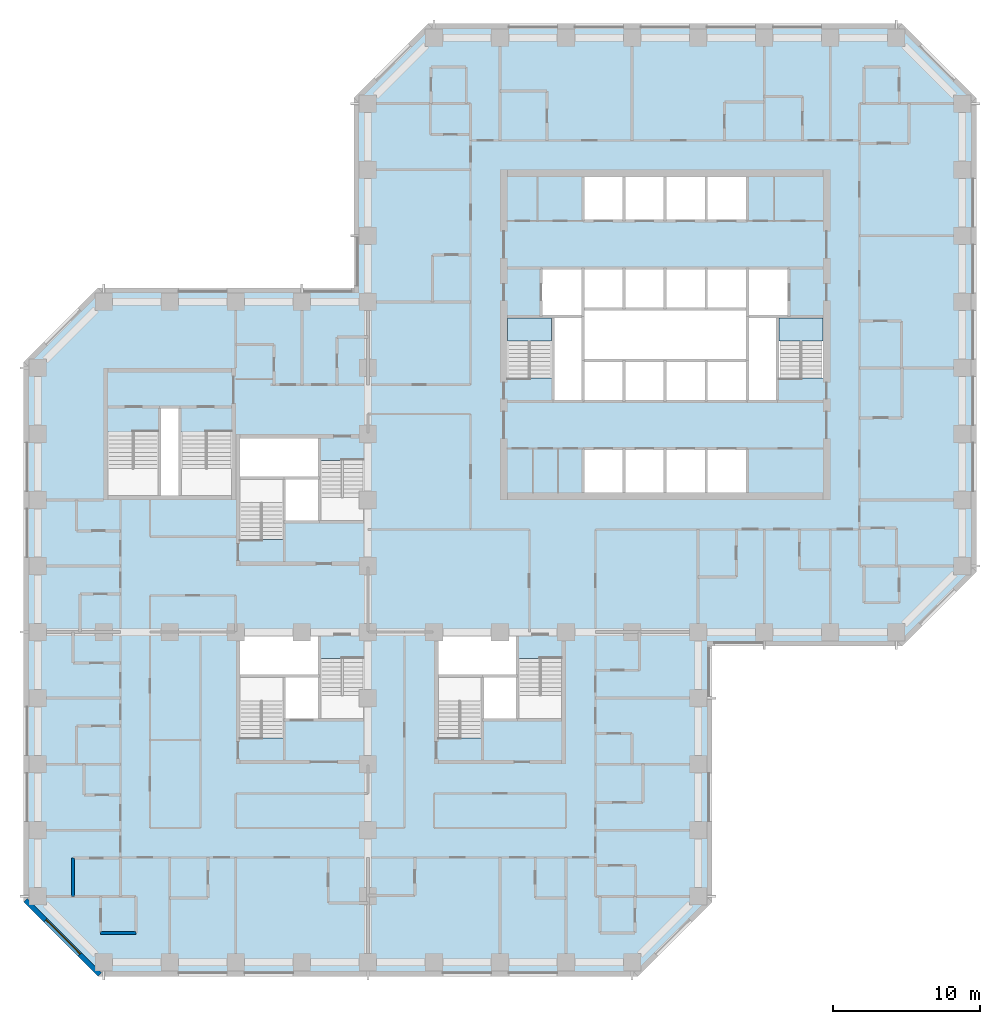
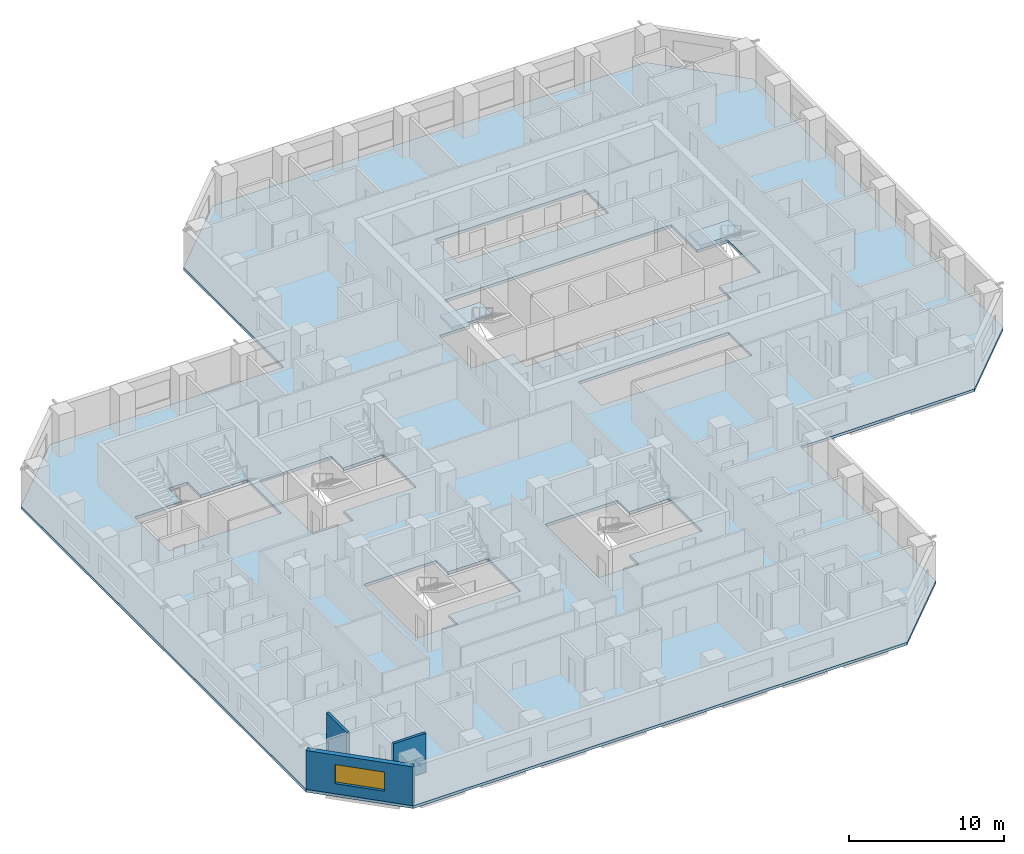
# One storey, part 2 of 13: 3 slabs, 3 walls, 1 window, 1 opening, 2 elements without a shape of their own.
"""IFC4 building model written with IfcOpenShell, lengths in metres."""

from ifc_helpers import new_model, si_unit, direction, frame, frame_2d, origin, place, context, subcontext, project, spatial, polyline, rectangle, outline, extrude, material, layer, layer_set, constituent, constituent_set, type_object, element, fill, aggregate, save


model = new_model("IFC4")

# Units and contexts
model_context = context("Model", 3, precision=1e-05, world=origin(), true_north=direction((0.0, 1.0)))
body_context = subcontext(model_context, "Body", "Model", "MODEL_VIEW")
ifc_project = project(units=[si_unit("LENGTHUNIT", "METRE"), si_unit("AREAUNIT", "SQUARE_METRE"), si_unit("VOLUMEUNIT", "CUBIC_METRE"), si_unit("PLANEANGLEUNIT", "RADIAN"), si_unit("MASSUNIT", "GRAM", prefix="KILO")], contexts=[model_context])

# Site, building, storey
site_placement = place(None, origin())
site = spatial("IfcSite", under=ifc_project, at=site_placement, CompositionType="ELEMENT")
building_placement = place(site_placement, origin())
building = spatial("IfcBuilding", under=site, at=building_placement, Name="Quoin Convention Tower", CompositionType="ELEMENT")
storey_placement = place(building_placement, frame((0.0, 0.0, 36.300048828125)))
storey = spatial("IfcBuildingStorey", under=building, at=storey_placement, Name="L08", CompositionType="ELEMENT", Elevation=36.300048828125)

# Slab
ifc_material_1 = material(Name="Concrete C50", Category="concrete")
ifc_layer_1 = layer(ifc_material_1, 0.219970703125)
ifc_layer_set_1 = layer_set([ifc_layer_1], Name="Concrete C50")
slab_type_1 = type_object("IfcSlabType", Name="RC SLAB 220 C50", PredefinedType="FLOOR", material=ifc_layer_set_1)
slab_1_placement = place(storey_placement, frame((0.0, 0.0, -0.219970703125)))
element("IfcSlab", 1, at=slab_1_placement, inside=storey, type_object=slab_type_1, Name="slb-L08", PredefinedType="FLOOR", context=body_context, shape_type="SweptSolid", body=[
    extrude(outline(polyline([(12.550048828125, 58.8935546875), (17.6064453125, 63.949951171875), (35.050048828125, 63.949951171875), (35.050048828125, 76.8935546875), (40.1064453125, 81.949951171875), (72.3935546875, 81.949951171875), (77.449951171875, 76.8935546875), (77.449951171875, 44.6064453125), (72.3935546875, 39.550048828125), (59.449951171875, 39.550048828125), (59.449951171875, 22.1064453125), (54.3935546875, 17.050048828125), (17.6064453125, 17.050048828125), (12.550048828125, 22.1064453125), (12.550048828125, 58.8935546875)]), holes=[polyline([(30.300048828125, 33.300537109375), (30.300048828125, 34.5), (32.699951171875, 34.5), (35.699951171875, 34.5), (35.699951171875, 38.699462890625), (32.699951171875, 38.699462890625), (32.699951171875, 40.199951171875), (27.300048828125, 40.199951171875), (27.300048828125, 37.5), (27.300048828125, 33.300537109375), (30.300048828125, 33.300537109375)]), polyline([(43.800048828125, 33.300537109375), (43.800048828125, 34.5), (46.199951171875, 34.5), (49.199951171875, 34.5), (49.199951171875, 38.699462890625), (46.199951171875, 38.699462890625), (46.199951171875, 40.199951171875), (40.800048828125, 40.199951171875), (40.800048828125, 37.5), (40.800048828125, 33.300537109375), (43.800048828125, 33.300537109375)]), polyline([(27.300048828125, 46.800537109375), (30.300048828125, 46.800537109375), (30.300048828125, 48.0), (32.699951171875, 48.0), (35.699951171875, 48.0), (35.699951171875, 52.199462890625), (32.699951171875, 52.199462890625), (32.699951171875, 53.699951171875), (27.300048828125, 53.699951171875), (27.300048828125, 51.0), (27.300048828125, 46.800537109375)]), polyline([(53.449951171875, 50.0), (56.25, 50.0), (59.050048828125, 50.0), (61.85009765625, 50.0), (61.85009765625, 53.0), (59.050048828125, 53.0), (56.25, 53.0), (53.449951171875, 53.0), (50.64990234375, 53.0), (50.64990234375, 50.0), (53.449951171875, 50.0)]), polyline([(23.199951171875, 49.800048828125), (26.699951171875, 49.800048828125), (26.699951171875, 54.1494140625), (23.199951171875, 54.1494140625), (23.199951171875, 55.85009765625), (21.800048828125, 55.85009765625), (21.800048828125, 54.1494140625), (18.300048828125, 54.1494140625), (18.300048828125, 49.800048828125), (21.800048828125, 49.800048828125), (23.199951171875, 49.800048828125)]), polyline([(45.5, 57.800537109375), (48.60009765625, 57.800537109375), (48.60009765625, 56.199951171875), (50.64990234375, 56.199951171875), (53.449951171875, 56.199951171875), (56.25, 56.199951171875), (59.050048828125, 56.199951171875), (61.85009765625, 56.199951171875), (63.89990234375, 56.199951171875), (63.89990234375, 57.800537109375), (67.0, 57.800537109375), (67.0, 62.0), (64.699951171875, 62.0), (64.699951171875, 65.300048828125), (61.85009765625, 65.300048828125), (59.050048828125, 65.300048828125), (56.25, 65.300048828125), (53.449951171875, 65.300048828125), (50.64990234375, 65.300048828125), (47.800048828125, 65.300048828125), (47.800048828125, 62.0), (45.5, 62.0), (45.5, 57.800537109375)]), polyline([(59.050048828125, 68.5), (61.85009765625, 68.5), (61.85009765625, 71.5), (59.050048828125, 71.5), (56.25, 71.5), (53.449951171875, 71.5), (50.64990234375, 71.5), (50.64990234375, 68.5), (53.449951171875, 68.5), (56.25, 68.5), (59.050048828125, 68.5)])]), origin(), (0.0, 0.0, 1.0), 0.219970703125),
])

# Stair, slab
ifc_material_2 = material(Name="Concrete C40", Category="concrete")
stair_type = type_object("IfcStairType", Name="Exit stair two-flight 1350", PredefinedType="HALF_TURN_STAIR", material=ifc_material_2)
stair_1_placement = place(storey_placement, origin())
stair_1 = element("IfcStair", 2, at=stair_1_placement, inside=storey, type_object=stair_type, Name="SD1 L08", PredefinedType="HALF_TURN_STAIR")
ifc_layer_2 = layer(ifc_material_2, 0.199951171875)
ifc_layer_set_2 = layer_set([ifc_layer_2], Name="Concrete C40")
slab_type_2 = type_object("IfcSlabType", Name="Stair landing 200", PredefinedType="LANDING", material=ifc_layer_set_2)
slab_2_placement = place(storey_placement, frame((0.0, 0.0, 1.449951171875)))
slab_2 = element("IfcSlab", 3, at=slab_2_placement, type_object=slab_type_2, Name="ST1 landing 1", PredefinedType="LANDING", context=body_context, shape_type="SweptSolid", body=[
    extrude(outline(polyline([(45.5, 60.320068359375), (48.5, 60.320068359375), (48.5, 61.89990234375), (45.5, 61.89990234375), (45.5, 60.320068359375)])), origin(), (0.0, 0.0, 1.0), 0.199951171875),
])
aggregate(stair_1, [slab_2])

stair_2_placement = place(storey_placement, origin())
stair_2 = element("IfcStair", 4, at=stair_2_placement, inside=storey, type_object=stair_type, Name="SD2 L08", PredefinedType="HALF_TURN_STAIR")
slab_3_placement = place(storey_placement, frame((0.0, 0.0, 1.449951171875)))
slab_3 = element("IfcSlab", 5, at=slab_3_placement, type_object=slab_type_2, Name="ST2 landing 1", PredefinedType="LANDING", context=body_context, shape_type="SweptSolid", body=[
    extrude(outline(polyline([(64.0, 60.320068359375), (67.0, 60.320068359375), (67.0, 61.89990234375), (64.0, 61.89990234375), (64.0, 60.320068359375)])), origin(), (0.0, 0.0, 1.0), 0.199951171875),
])
aggregate(stair_2, [slab_3])

# Wall, opening, window
ifc_material_3 = material(Name="Brick masonry", Category="masonry")
ifc_layer_3 = layer(ifc_material_3, 0.35009765625)
ifc_layer_set_3 = layer_set([ifc_layer_3], Name="Brick masonry")
wall_type_1 = type_object("IfcWallType", Name="Brick facade wall", PredefinedType="STANDARD", material=ifc_layer_set_3)
wall_1_placement = place(storey_placement, frame((12.673583984375, 22.230224609375, 0.0), z_axis=(0.0, 0.0, 1.0), x_axis=(0.707106781187, -0.707106781187, 0.0)))
wall_1 = element("IfcWall", 6, at=wall_1_placement, inside=storey, type_object=wall_type_1, Name="fw-L08-13500_22500", PredefinedType="STANDARD", context=body_context, shape_type="SweptSolid", body=[
    extrude(rectangle(XDim=7.151123046875, YDim=0.35009765625, at=frame_2d((3.57568359375, 0.0))), origin(), (0.0, 0.0, 1.0), 3.054931640625),
])
opening_placement = place(wall_1_placement, frame((1.925537109375, 0.0, 0.800048828125)))
opening = element("IfcOpeningElement", 7, at=opening_placement, cuts=wall_1, Name="Opening W-01", PredefinedType="OPENING", context=body_context, shape_type="SweptSolid", body=[
    extrude(rectangle(XDim=3.300048828125, YDim=1.5, at=frame_2d((1.64990234375, 0.75))), frame((0.0, 0.18505859375, 0.0), z_axis=(0.0, -1.0, 0.0), x_axis=(1.0, 0.0, 0.0)), (0.0, 0.0, 1.0), 0.3701171875),
])
ifc_material_4 = material(Name="Aluminium", Category="aluminium")
ifc_constituent_1 = constituent(ifc_material_4, Name="Frame")
ifc_material_5 = material(Name="Insulated glass", Category="glass")
ifc_constituent_2 = constituent(ifc_material_5, Name="Glazing")
ifc_constituent_set = constituent_set(constituents=[ifc_constituent_1, ifc_constituent_2], Name="Aluminium")
window_type = type_object("IfcWindowType", Name="Hotel strip window", PartitioningType="DOUBLE_PANEL_VERTICAL", PredefinedType="WINDOW", material=ifc_constituent_set)
window_placement = place(opening_placement, origin())
window = element("IfcWindow", 8, at=window_placement, inside=storey, type_object=window_type, Name="win-L08-15202_19702", OverallHeight=1.5, OverallWidth=3.300048828125, PartitioningType="SINGLE_PANEL", PredefinedType="WINDOW", context=body_context, shape_type="SweptSolid", body=[
    extrude(rectangle(XDim=3.300048828125, YDim=1.5, at=frame_2d((1.64990234375, 0.75))), frame((0.0, 0.0849609375, 0.0), z_axis=(0.0, -1.0, 0.0), x_axis=(1.0, 0.0, 0.0)), (0.0, 0.0, 1.0), 0.06005859375),
])
fill(opening, window)

# Walls
ifc_layer_4 = layer(ifc_material_1, 0.199951171875)
ifc_layer_set_4 = layer_set([ifc_layer_4], Name="Concrete C50")
wall_type_2 = type_object("IfcWallType", Name="RC party wall", PredefinedType="SOLIDWALL", material=ifc_layer_set_4)
wall_2_placement = place(storey_placement, frame((17.800048828125, 20.0, 0.0), z_axis=(0.0, 0.0, 1.0), x_axis=(1.0, 0.0, 0.0)))
element("IfcWall", 9, at=wall_2_placement, inside=storey, type_object=wall_type_2, Name="pw-L08-044", PredefinedType="SOLIDWALL", context=body_context, shape_type="SweptSolid", body=[
    extrude(rectangle(XDim=2.39990234375, YDim=0.199951171875, at=frame_2d((1.199951171875, 0.0))), origin(), (0.0, 0.0, 1.0), 3.079833984375),
])
wall_3_placement = place(storey_placement, frame((15.89990234375, 22.5, 0.0), z_axis=(0.0, 0.0, 1.0), x_axis=(0.0, 1.0, 0.0)))
element("IfcWall", 10, at=wall_3_placement, inside=storey, type_object=wall_type_2, Name="pw-L08-057", PredefinedType="SOLIDWALL", context=body_context, shape_type="SweptSolid", body=[
    extrude(rectangle(XDim=2.60009765625, YDim=0.199951171875, at=frame_2d((1.300048828125, 0.0))), origin(), (0.0, 0.0, 1.0), 3.079833984375),
])

save(model, "model.ifc")
